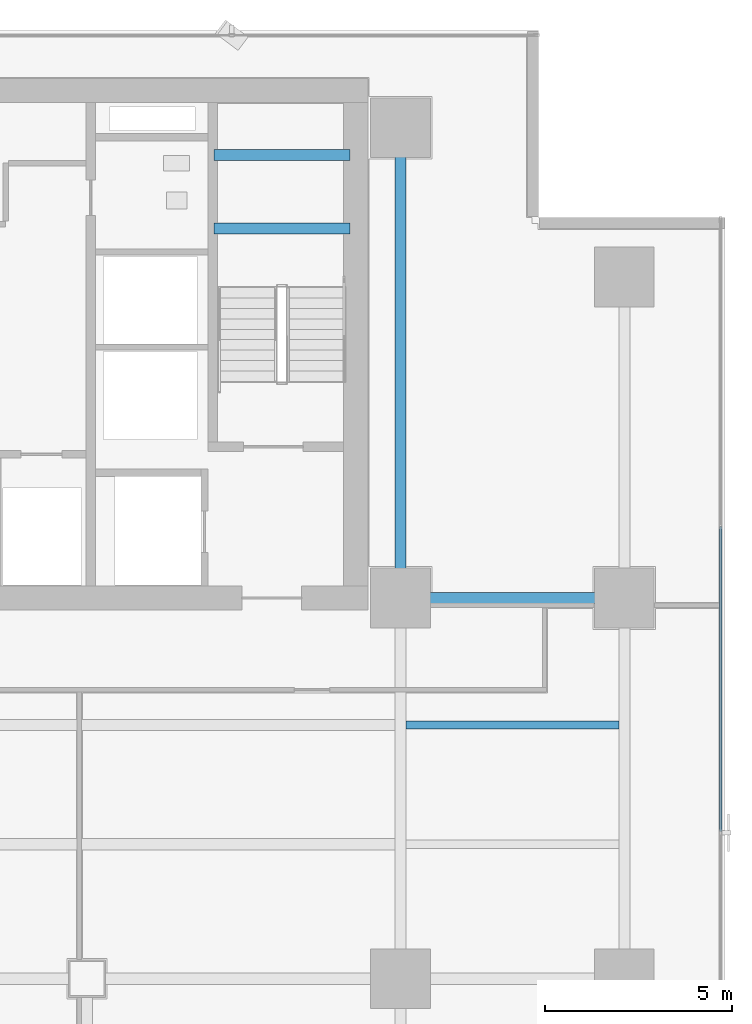
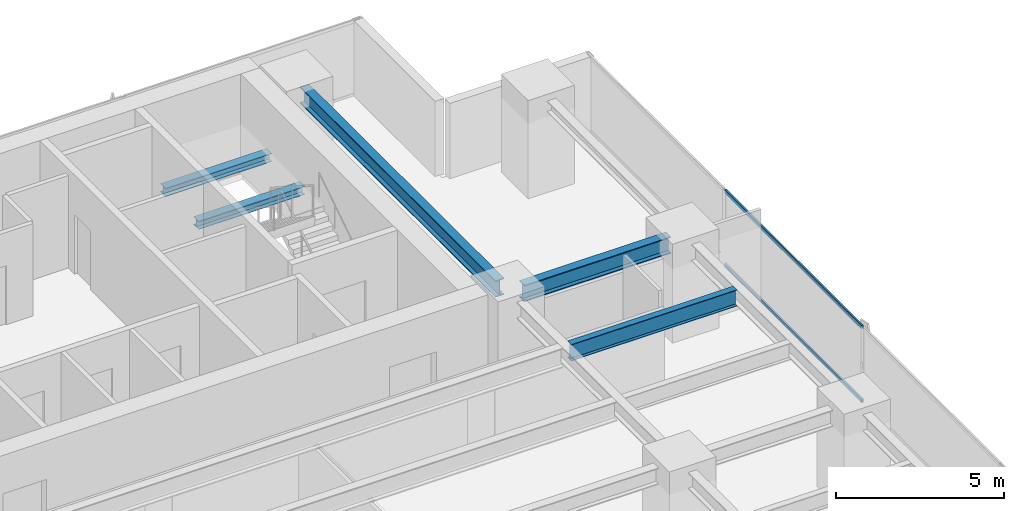
# One storey, part 23 of 36: 5 beams, 2 members, 1 element without a shape of its own.
"""IFC4 building model written with IfcOpenShell, lengths in metres."""

from ifc_helpers import new_model, si_unit, direction, frame, origin, origin_2d, place, context, subcontext, project, spatial, hollow_rectangle, i_section, extrude, source, transform, mapped, material, layer, layer_set, material_profile, profile_set, type_object, element, aggregate, save


model = new_model("IFC4")

# Units and contexts
model_context = context("Model", 3, precision=1e-05, world=origin(), true_north=direction((0.0, 1.0)))
body_context = subcontext(model_context, "Body", "Model", "MODEL_VIEW")
ifc_project = project(units=[si_unit("LENGTHUNIT", "METRE"), si_unit("AREAUNIT", "SQUARE_METRE"), si_unit("VOLUMEUNIT", "CUBIC_METRE"), si_unit("PLANEANGLEUNIT", "RADIAN"), si_unit("MASSUNIT", "GRAM", prefix="KILO")], contexts=[model_context])

# Site, building, storey
site_placement = place(None, origin())
site = spatial("IfcSite", under=ifc_project, at=site_placement, CompositionType="ELEMENT")
building_placement = place(site_placement, origin())
building = spatial("IfcBuilding", under=site, at=building_placement, Name="Sumidabori Civic Tower", CompositionType="ELEMENT")
storey_placement = place(building_placement, frame((0.0, 0.0, 84.800048828125)))
storey = spatial("IfcBuildingStorey", under=building, at=storey_placement, Name="L21", CompositionType="ELEMENT", Elevation=84.800048828125)

# Beams
ifc_material_1 = material(Name="Steel SN490", Category="steel")
ifc_material_profile_1 = material_profile(ifc_material_1, i_section(OverallWidth=0.300048828125, OverallDepth=0.300048828125, WebThickness=0.010986328125, FlangeThickness=0.01904296875, at=origin_2d()), Name="HE 300 B")
ifc_profile_set_1 = profile_set([ifc_material_profile_1], Name="Steel SN490")
beam_type_1 = type_object("IfcBeamType", Name="BM-LDG-300", PredefinedType="BEAM", material=ifc_profile_set_1)
shared_shape_1 = source(origin(), body_context, "Body", "SweptSolid", [
    extrude(i_section(OverallWidth=0.300048828125, OverallDepth=0.300048828125, WebThickness=0.010986328125, FlangeThickness=0.01904296875, at=origin_2d()), origin(), (0.0, 0.0, 1.0), 3.64990234375),
])
for number, where, z_axis, x_axis, name in (
    (1, (11.800048828125, 20.09765625, 1.449951171875), (1.0, 0.0, 0.0), (0.0, 1.0, 0.0), "Stair ST-2 Landing Support Beam L21-1A"),
    (2, (11.800048828125, 22.069580078125, 1.449951171875), (1.0, 0.0, 0.0), (0.0, 1.0, 0.0), "Stair ST-2 Landing Trimmer Beam L21-1B"),
):
    element("IfcBeam", number, at=place(storey_placement, frame(where, z_axis=z_axis, x_axis=x_axis)), inside=storey, type_object=beam_type_1, Name=name, PredefinedType="BEAM", context=body_context, shape_type="MappedRepresentation", body=[
        mapped(shared_shape_1, transform((0.0, 0.0, 0.0), x_axis=(1.0, 0.0, 0.0), y_axis=(0.0, 1.0, 0.0), z_axis=(0.0, 0.0, 1.0), scale=1.0)),
    ])
ifc_material_profile_2 = material_profile(ifc_material_1, i_section(OverallWidth=0.300048828125, OverallDepth=0.60009765625, WebThickness=0.015380859375, FlangeThickness=0.030029296875, at=origin_2d()), Name="HE 600 B")
ifc_profile_set_2 = profile_set([ifc_material_profile_2], Name="Steel SN490")
beam_type_2 = type_object("IfcBeamType", Name="BM-GIRD-600", PredefinedType="BEAM", material=ifc_profile_set_2)
shared_shape_2 = source(origin(), body_context, "Body", "SweptSolid", [
    extrude(i_section(OverallWidth=0.300048828125, OverallDepth=0.60009765625, WebThickness=0.015380859375, FlangeThickness=0.030029296875, at=origin_2d()), origin(), (0.0, 0.0, 1.0), 5.0400390625),
])
beam_1_placement = place(storey_placement, frame((17.280029296875, 10.199951171875, 3.06005859375), z_axis=(1.0, 0.0, 0.0), x_axis=(0.0, 1.0, 0.0)))
element("IfcBeam", 3, at=beam_1_placement, inside=storey, type_object=beam_type_2, Name="Primary Girder L21 GX-20", PredefinedType="BEAM", context=body_context, shape_type="MappedRepresentation", body=[
    mapped(shared_shape_2, transform((0.0, 0.0, 0.0), x_axis=(1.0, 0.0, 0.0), y_axis=(0.0, 1.0, 0.0), z_axis=(0.0, 0.0, 1.0), scale=1.0)),
])
shared_shape_3 = source(origin(), body_context, "Body", "SweptSolid", [
    extrude(i_section(OverallWidth=0.300048828125, OverallDepth=0.60009765625, WebThickness=0.015380859375, FlangeThickness=0.030029296875, at=origin_2d()), origin(), (0.0, 0.0, 1.0), 11.64013671875),
])
beam_2_placement = place(storey_placement, frame((16.800048828125, 10.679931640625, 3.06005859375), z_axis=(0.0, 1.0, 0.0), x_axis=(-1.0, 0.0, 0.0)))
element("IfcBeam", 4, at=beam_2_placement, inside=storey, type_object=beam_type_2, Name="Primary Girder L21 GY-38", PredefinedType="BEAM", context=body_context, shape_type="MappedRepresentation", body=[
    mapped(shared_shape_3, transform((0.0, 0.0, 0.0), x_axis=(1.0, 0.0, 0.0), y_axis=(0.0, 1.0, 0.0), z_axis=(0.0, 0.0, 1.0), scale=1.0)),
])
ifc_material_profile_3 = material_profile(ifc_material_1, i_section(OverallWidth=0.219970703125, OverallDepth=0.60009765625, WebThickness=0.011962890625, FlangeThickness=0.01904296875, at=origin_2d()), Name="IPE 600")
ifc_profile_set_3 = profile_set([ifc_material_profile_3], Name="Steel SN490")
beam_type_3 = type_object("IfcBeamType", Name="BM-JST-600", PredefinedType="JOIST", material=ifc_profile_set_3)
shared_shape_4 = source(origin(), body_context, "Body", "SweptSolid", [
    extrude(i_section(OverallWidth=0.219970703125, OverallDepth=0.60009765625, WebThickness=0.011962890625, FlangeThickness=0.01904296875, at=origin_2d()), origin(), (0.0, 0.0, 1.0), 5.699951171875),
])
beam_3_placement = place(storey_placement, frame((16.949951171875, 6.800048828125, 3.06005859375), z_axis=(1.0, 0.0, 0.0), x_axis=(0.0, 1.0, 0.0)))
element("IfcBeam", 5, at=beam_3_placement, inside=storey, type_object=beam_type_3, Name="Outer Bay Floor Joist L21 JSTO-50", PredefinedType="JOIST", context=body_context, shape_type="MappedRepresentation", body=[
    mapped(shared_shape_4, transform((0.0, 0.0, 0.0), x_axis=(1.0, 0.0, 0.0), y_axis=(0.0, 1.0, 0.0), z_axis=(0.0, 0.0, 1.0), scale=1.0)),
])

# Curtain wall, members
ifc_material_2 = material(Name="Anodised Bronze Aluminium AW-6063-T6", Category="aluminium")
ifc_layer = layer(ifc_material_2, 0.179931640625, Name="Anodised Bronze Aluminium AW-6063-T6")
ifc_layer_set = layer_set([ifc_layer], Name="Anodised Bronze Aluminium AW-6063-T6")
curtain_wall_type = type_object("IfcCurtainWallType", Name="CW-SYS-3", PredefinedType="NOTDEFINED", material=ifc_layer_set)
curtain_wall_placement = place(storey_placement, origin())
curtain_wall = element("IfcCurtainWall", 6, at=curtain_wall_placement, inside=storey, type_object=curtain_wall_type, Name="Curtain Wall CW:L21:R04", PredefinedType="NOTDEFINED")
ifc_material_profile_4 = material_profile(ifc_material_2, hollow_rectangle(XDim=0.06005859375, YDim=0.1298828125, WallThickness=0.0048828125, at=origin_2d()), Name="ALU TRANSOM 130x60")
ifc_profile_set_4 = profile_set([ifc_material_profile_4], Name="Anodised Bronze Aluminium AW-6063-T6")
member_type = type_object("IfcMemberType", Name="CW-TRN-130", PredefinedType="USERDEFINED", material=ifc_profile_set_4)
shared_shape_5 = source(origin(), body_context, "Body", "SweptSolid", [
    extrude(hollow_rectangle(XDim=0.06005859375, YDim=0.1298828125, WallThickness=0.0048828125, at=origin_2d()), origin(), (0.0, 0.0, 1.0), 8.1630859375),
])
member_1_placement = place(storey_placement, frame((25.3798828125, 3.946533203125, 0.030029296875), z_axis=(0.0, 1.0, 0.0), x_axis=(-1.0, 0.0, 0.0)))
member_1 = element("IfcMember", 7, at=member_1_placement, type_object=member_type, Name="CW-3 transom 4.1", ObjectType="TRANSOM", PredefinedType="USERDEFINED", context=body_context, shape_type="MappedRepresentation", body=[
    mapped(shared_shape_5, transform((0.0, 0.0, 0.0), x_axis=(1.0, 0.0, 0.0), y_axis=(0.0, 1.0, 0.0), z_axis=(0.0, 0.0, 1.0), scale=1.0)),
])
member_2_placement = place(storey_placement, frame((25.3798828125, 3.946533203125, 2.7099609375), z_axis=(0.0, 1.0, 0.0), x_axis=(-1.0, 0.0, 0.0)))
member_2 = element("IfcMember", 8, at=member_2_placement, type_object=member_type, Name="CW-3 transom 4.2", ObjectType="TRANSOM", PredefinedType="USERDEFINED", context=body_context, shape_type="MappedRepresentation", body=[
    mapped(shared_shape_5, transform((0.0, 0.0, 0.0), x_axis=(1.0, 0.0, 0.0), y_axis=(0.0, 1.0, 0.0), z_axis=(0.0, 0.0, 1.0), scale=1.0)),
])
aggregate(curtain_wall, [member_1, member_2])

save(model, "model.ifc")
